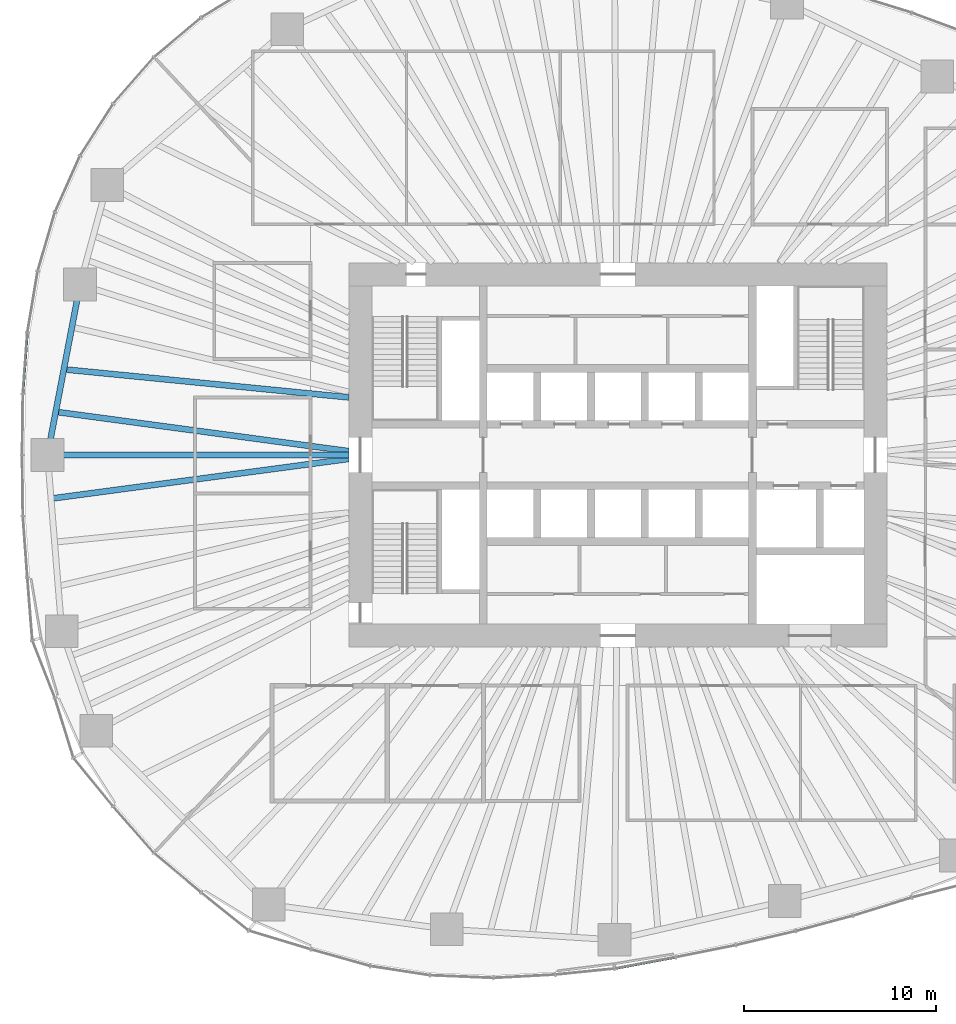
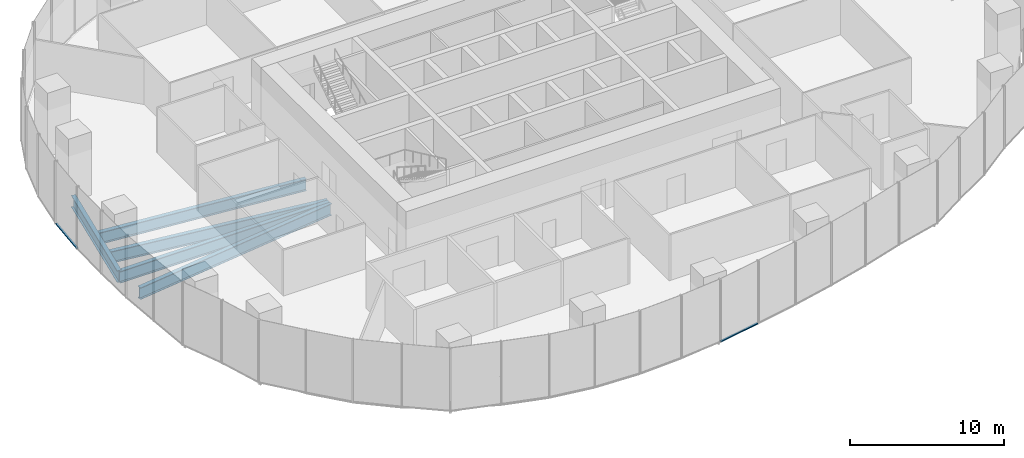
# One storey, part 3 of 20: 5 beams, 2 members, 2 elements without a shape of their own.
"""IFC4 building model written with IfcOpenShell, lengths in metres."""

from ifc_helpers import new_model, si_unit, direction, frame, origin, origin_2d, place, context, subcontext, project, spatial, rectangle, i_section, extrude, material, material_profile, profile_set, type_object, element, aggregate, save


model = new_model("IFC4")

# Units and contexts
model_context = context("Model", 3, precision=1e-05, world=origin(), true_north=direction((0.0, 1.0)))
body_context = subcontext(model_context, "Body", "Model", "MODEL_VIEW")
ifc_project = project(units=[si_unit("LENGTHUNIT", "METRE"), si_unit("AREAUNIT", "SQUARE_METRE"), si_unit("VOLUMEUNIT", "CUBIC_METRE"), si_unit("PLANEANGLEUNIT", "RADIAN"), si_unit("MASSUNIT", "GRAM", prefix="KILO")], contexts=[model_context])

# Site, building, storey
site_placement = place(None, origin())
site = spatial("IfcSite", under=ifc_project, at=site_placement, CompositionType="ELEMENT")
building_placement = place(site_placement, origin())
building = spatial("IfcBuilding", under=site, at=building_placement, Name="Ghaith Harvest Tower", CompositionType="ELEMENT")
storey_placement = place(building_placement, frame((0.0, 0.0, 65.0)))
storey = spatial("IfcBuildingStorey", under=building, at=storey_placement, Name="L13", CompositionType="ELEMENT", Elevation=65.0)

# Curtain wall, member
ifc_material_1 = material(Name="Black anodised aluminium and fritted glass", Category="aluminium")
curtain_wall_type = type_object("IfcCurtainWallType", Name="CW-F CURTAIN WALL", PredefinedType="NOTDEFINED", material=ifc_material_1)
curtain_wall_1_placement = place(storey_placement, origin())
curtain_wall_1 = element("IfcCurtainWall", 1, at=curtain_wall_1_placement, inside=storey, type_object=curtain_wall_type, Name="Curtain wall CW-F bay 10 L13", PredefinedType="NOTDEFINED")
ifc_material_2 = material(Name="Aluminium, black anodised", Category="aluminium")
ifc_material_profile_1 = material_profile(ifc_material_2, rectangle(XDim=0.139892578125, YDim=0.080078125, at=origin_2d()), Name="CW-F TRANSOM 140x80")
ifc_profile_set_1 = profile_set([ifc_material_profile_1], Name="Aluminium, black anodised")
member_type = type_object("IfcMemberType", Name="CW-F TRANSOM 140x80", PredefinedType="USERDEFINED", material=ifc_profile_set_1)
member_1_placement = place(storey_placement, frame((-30.72705078125, 6.335693359375, 0.0400390625), z_axis=(-0.072473547161, -0.997370334912, 0.0), x_axis=(0.997370334912, -0.072473547161, 0.0)))
member_1 = element("IfcMember", 2, at=member_1_placement, type_object=member_type, Name="CW-F transom 2 bay 10 L13", ObjectType="TRANSOM", PredefinedType="USERDEFINED", context=body_context, shape_type="SweptSolid", body=[
    extrude(rectangle(XDim=0.139892578125, YDim=0.080078125, at=origin_2d()), origin(), (0.0, 0.0, 1.0), 3.126220703125),
])
aggregate(curtain_wall_1, [member_1])

curtain_wall_2_placement = place(storey_placement, origin())
curtain_wall_2 = element("IfcCurtainWall", 3, at=curtain_wall_2_placement, inside=storey, type_object=curtain_wall_type, Name="Curtain wall CW-F bay 16 L13", PredefinedType="NOTDEFINED")
member_2_placement = place(storey_placement, frame((-0.1435546875, -26.709716796875, 0.0400390625), z_axis=(0.983139075124, 0.182859396706, 0.0), x_axis=(-0.182859396706, 0.983139075124, 0.0)))
member_2 = element("IfcMember", 4, at=member_2_placement, type_object=member_type, Name="CW-F transom 1 bay 16 L13", ObjectType="TRANSOM", PredefinedType="USERDEFINED", context=body_context, shape_type="SweptSolid", body=[
    extrude(rectangle(XDim=0.139892578125, YDim=0.080078125, at=origin_2d()), origin(), (0.0, 0.0, 1.0), 3.1669921875),
])
aggregate(curtain_wall_2, [member_2])

# Beams
ifc_material_3 = material(Name="Steel ASTM A992 Grade 50", Category="steel")
ifc_material_profile_2 = material_profile(ifc_material_3, i_section(OverallWidth=0.306884765625, OverallDepth=0.94189453125, WebThickness=0.022216796875, FlangeThickness=0.039794921875, at=origin_2d()), Name="W920X345")
ifc_profile_set_2 = profile_set([ifc_material_profile_2], Name="Steel ASTM A992 Grade 50")
beam_type_1 = type_object("IfcBeamType", Name="E920-345 W920X345", PredefinedType="SPANDREL", material=ifc_profile_set_2)
beam_1_placement = place(storey_placement, frame((-27.98291015625, 8.867919921875, -0.6708984375), z_axis=(-0.187433949108, -0.982277208695, 0.0), x_axis=(0.982277208695, -0.187433949108, 0.0)))
element("IfcBeam", 5, at=beam_1_placement, inside=storey, type_object=beam_type_1, Name="Edge beam E10 L13", PredefinedType="SPANDREL", context=body_context, shape_type="SweptSolid", body=[
    extrude(i_section(OverallWidth=0.306884765625, OverallDepth=0.94189453125, WebThickness=0.022216796875, FlangeThickness=0.039794921875, at=origin_2d()), origin(), (0.0, 0.0, 1.0), 9.02783203125),
])
ifc_material_4 = material(Name="Steel ASTM A992 Grade 50", Category="steel")
ifc_material_profile_3 = material_profile(ifc_material_4, i_section(OverallWidth=0.306884765625, OverallDepth=0.94189453125, WebThickness=0.022216796875, FlangeThickness=0.039794921875, at=origin_2d()), Name="W920X345")
ifc_profile_set_3 = profile_set([ifc_material_profile_3], Name="Steel ASTM A992 Grade 50")
beam_type_2 = type_object("IfcBeamType", Name="G920-345 W920X345", PredefinedType="BEAM", material=ifc_profile_set_3)
beam_2_placement = place(storey_placement, frame((-14.0, 0.0, -0.6708984375), z_axis=(-1.0, 0.0, 0.0), x_axis=(0.0, -1.0, 0.0)))
element("IfcBeam", 6, at=beam_2_placement, inside=storey, type_object=beam_type_2, Name="Radial girder G11 L13", PredefinedType="BEAM", context=body_context, shape_type="SweptSolid", body=[
    extrude(i_section(OverallWidth=0.306884765625, OverallDepth=0.94189453125, WebThickness=0.022216796875, FlangeThickness=0.039794921875, at=origin_2d()), origin(), (0.0, 0.0, 1.0), 15.675048828125),
])
ifc_material_5 = material(Name="Steel ASTM A992 Grade 50", Category="steel")
ifc_material_profile_4 = material_profile(ifc_material_5, i_section(OverallWidth=0.31005859375, OverallDepth=0.927001953125, WebThickness=0.019287109375, FlangeThickness=0.031982421875, at=origin_2d()), Name="W920X289")
ifc_profile_set_4 = profile_set([ifc_material_profile_4], Name="Steel ASTM A992 Grade 50")
beam_type_3 = type_object("IfcBeamType", Name="J920-289 W920X289", PredefinedType="JOIST", material=ifc_profile_set_4)
beam_3_placement = place(storey_placement, frame((-14.0, 3.0, -0.66357421875), z_axis=(-0.995196704135, 0.097895454848, 0.0), x_axis=(-0.097895454848, -0.995196704135, 0.0)))
element("IfcBeam", 7, at=beam_3_placement, inside=storey, type_object=beam_type_3, Name="Joist J10.2 L13", PredefinedType="JOIST", context=body_context, shape_type="SweptSolid", body=[
    extrude(i_section(OverallWidth=0.31005859375, OverallDepth=0.927001953125, WebThickness=0.019287109375, FlangeThickness=0.031982421875, at=origin_2d()), origin(), (0.0, 0.0, 1.0), 14.89599609375),
])
beam_4_placement = place(storey_placement, frame((-14.0, 0.199951171875, -0.66357421875), z_axis=(-0.991095171591, 0.133155401128, 0.0), x_axis=(-0.133155401128, -0.991095171591, 0.0)))
element("IfcBeam", 8, at=beam_4_placement, inside=storey, type_object=beam_type_3, Name="Joist J10.3 L13", PredefinedType="JOIST", context=body_context, shape_type="SweptSolid", body=[
    extrude(i_section(OverallWidth=0.31005859375, OverallDepth=0.927001953125, WebThickness=0.019287109375, FlangeThickness=0.031982421875, at=origin_2d()), origin(), (0.0, 0.0, 1.0), 15.383056640625),
])
beam_5_placement = place(storey_placement, frame((-14.0, -0.199951171875, -0.66357421875), z_axis=(-0.991213569042, -0.132271162948, 0.0), x_axis=(0.132271162948, -0.991213569042, 0.0)))
element("IfcBeam", 9, at=beam_5_placement, inside=storey, type_object=beam_type_3, Name="Joist J11.1 L13", PredefinedType="JOIST", context=body_context, shape_type="SweptSolid", body=[
    extrude(i_section(OverallWidth=0.31005859375, OverallDepth=0.927001953125, WebThickness=0.019287109375, FlangeThickness=0.031982421875, at=origin_2d()), origin(), (0.0, 0.0, 1.0), 15.6279296875),
])

save(model, "model.ifc")
